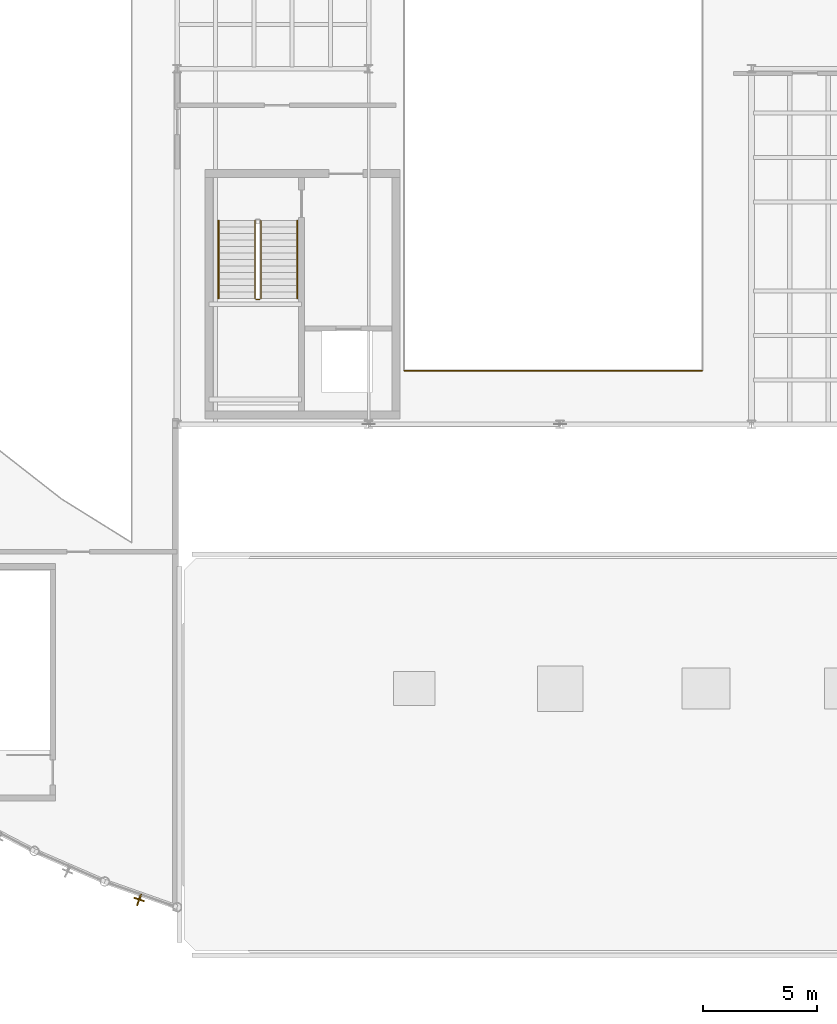
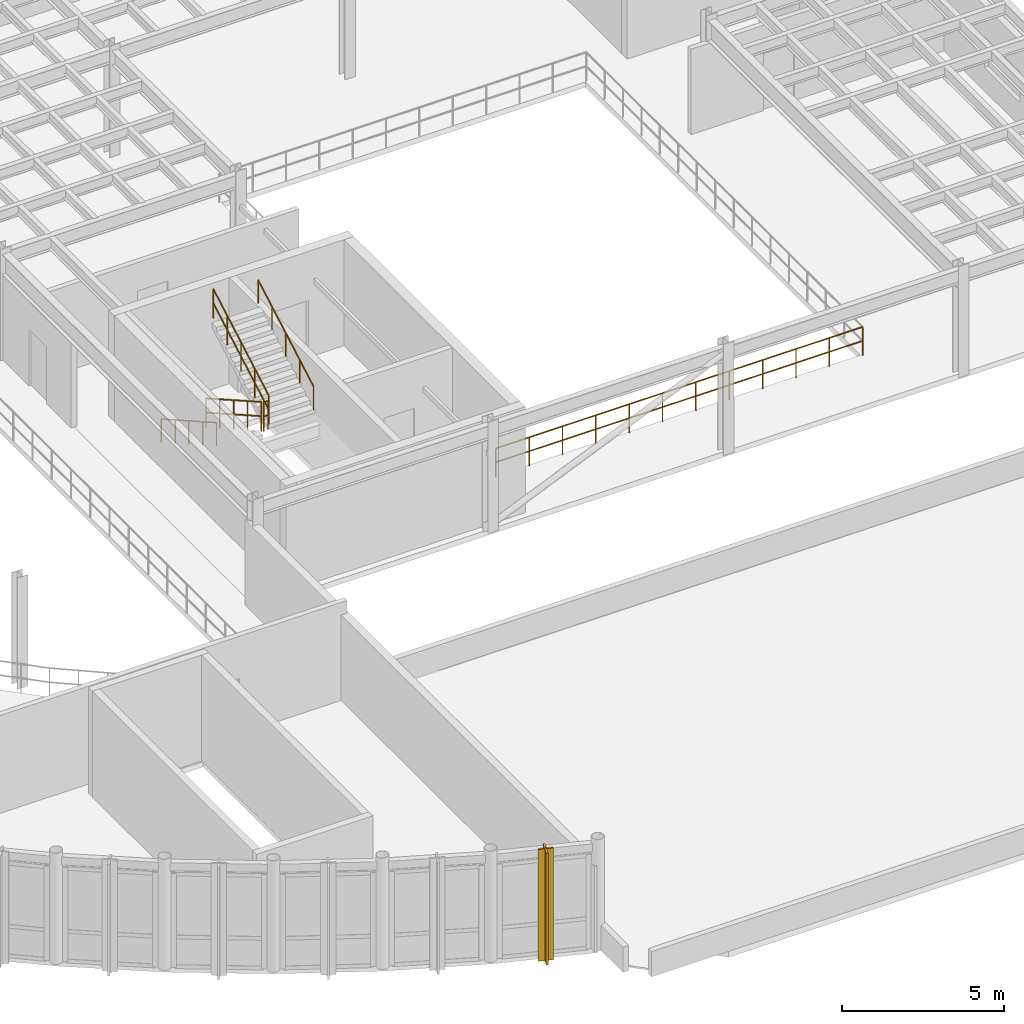
# One storey, part 48 of 54: 6 railings, 1 covering, 1 shading device.
"""IFC4 building model written with IfcOpenShell, lengths in metres."""

from ifc_helpers import new_model, si_unit, direction, frame, origin, origin_2d, place, context, subcontext, project, spatial, polyline, rectangle, circle, outline, extrude, material, layer, layer_set, material_profile, profile_set, type_object, element, save


model = new_model("IFC4")

# Units and contexts
model_context = context("Model", 3, precision=1e-05, world=origin(), true_north=direction((0.0, 1.0)))
body_context = subcontext(model_context, "Body", "Model", "MODEL_VIEW")
ifc_project = project(units=[si_unit("LENGTHUNIT", "METRE"), si_unit("AREAUNIT", "SQUARE_METRE"), si_unit("VOLUMEUNIT", "CUBIC_METRE"), si_unit("PLANEANGLEUNIT", "RADIAN"), si_unit("MASSUNIT", "GRAM", prefix="KILO")], contexts=[model_context])

# Site, building, storey
site_placement = place(None, origin())
site = spatial("IfcSite", under=ifc_project, at=site_placement, CompositionType="ELEMENT")
building_placement = place(site_placement, origin())
building = spatial("IfcBuilding", under=site, at=building_placement, Name="Selat Folded Stagehouse", CompositionType="ELEMENT")
storey_placement = place(building_placement, frame((0.0, 0.0, 15.0)))
storey = spatial("IfcBuildingStorey", under=building, at=storey_placement, Name="L03", CompositionType="ELEMENT", Elevation=15.0)

# Covering
ifc_material_1 = material(Name="Bronze-anodised aluminium 6063-T6", Category="aluminium")
ifc_layer_1 = layer(ifc_material_1, 0.06005859375)
ifc_layer_set_1 = layer_set([ifc_layer_1], Name="Bronze-anodised aluminium 6063-T6")
covering_type = type_object("IfcCoveringType", Name="COV-FIN-BRZ42", PredefinedType="CLADDING", material=ifc_layer_set_1)
covering_placement = place(storey_placement, frame((0.0, 0.0, -0.10009765625)))
element("IfcCovering", 1, at=covering_placement, inside=storey, type_object=covering_type, Name="L03 drum bronze fin cladding sheath 432", PredefinedType="CLADDING", context=body_context, shape_type="SweptSolid", body=[
    extrude(outline(polyline([(31.98828125, 2.802001953125), (31.808349609375, 2.292724609375), (31.86865234375, 2.271484375), (32.048583984375, 2.780517578125), (31.98828125, 2.802001953125)])), origin(), (0.0, 0.0, 1.0), 4.22021484375),
])

# Railings
ifc_material_2 = material(Name="Bronze-anodised steel balustrade", Category="steel")
ifc_layer_2 = layer(ifc_material_2, 0.06494140625)
ifc_layer_set_2 = layer_set([ifc_layer_2], Name="Bronze-anodised steel balustrade")
railing_type_1 = type_object("IfcRailingType", Name="RLG-BAL-1120", PredefinedType="BALUSTRADE", material=ifc_layer_set_2)
railing_1_placement = place(storey_placement, frame((37.010009765625, 32.340087890625, 0.16162109375)))
element("IfcRailing", 2, at=railing_1_placement, inside=storey, type_object=railing_type_1, Name="L03 ST-01 stair well guard 1", PredefinedType="BALUSTRADE", context=body_context, shape_type="SweptSolid", body=[
    extrude(circle(Radius=0.02392578125, at=origin_2d()), frame((0.0, 0.0, 1.09619140625), z_axis=(0.0, -0.869980450916, 0.493086214596), x_axis=(1.0, 0.0, 0.0)), (0.0, 0.0, 1.0), 3.931396484375),
    extrude(circle(Radius=0.02392578125, at=origin_2d()), frame((0.0, 0.0, 0.56005859375), z_axis=(0.0, -0.869980450916, 0.493086214596), x_axis=(1.0, 0.0, 0.0)), (0.0, 0.0, 1.0), 3.931396484375),
    extrude(circle(Radius=0.02099609375, at=origin_2d()), origin(), (0.0, 0.0, 1.0), 1.072021484375),
    extrude(circle(Radius=0.02099609375, at=origin_2d()), frame((0.0, -0.85498046875, 0.484619140625)), (0.0, 0.0, 1.0), 1.072021484375),
    extrude(circle(Radius=0.02099609375, at=origin_2d()), frame((0.0, -1.7099609375, 0.96923828125)), (0.0, 0.0, 1.0), 1.072021484375),
    extrude(circle(Radius=0.02099609375, at=origin_2d()), frame((0.0, -2.565185546875, 1.453857421875)), (0.0, 0.0, 1.0), 1.072021484375),
    extrude(circle(Radius=0.02099609375, at=origin_2d()), frame((0.0, -3.420166015625, 1.9384765625)), (0.0, 0.0, 1.0), 1.072021484375),
])
railing_2_placement = place(storey_placement, frame((37.06005859375, 28.8701171875, 2.10009765625)))
element("IfcRailing", 3, at=railing_2_placement, inside=storey, type_object=railing_type_1, Name="L03 ST-01 stair well guard 2", PredefinedType="BALUSTRADE", context=body_context, shape_type="SweptSolid", body=[
    extrude(circle(Radius=0.02392578125, at=origin_2d()), frame((0.0, 0.0, 1.09619140625), z_axis=(1.0, 0.0, 0.0), x_axis=(0.0, 1.0, 0.0)), (0.0, 0.0, 1.0), 0.159912109375),
    extrude(circle(Radius=0.02392578125, at=origin_2d()), frame((0.0, 0.0, 0.56005859375), z_axis=(1.0, 0.0, 0.0), x_axis=(0.0, 1.0, 0.0)), (0.0, 0.0, 1.0), 0.159912109375),
    extrude(circle(Radius=0.02099609375, at=origin_2d()), origin(), (0.0, 0.0, 1.0), 1.072021484375),
    extrude(circle(Radius=0.02099609375, at=origin_2d()), frame((0.159912109375, 0.0, 0.0)), (0.0, 0.0, 1.0), 1.072021484375),
])
railing_3_placement = place(storey_placement, frame((37.27001953125, 28.919921875, 2.261474609375)))
element("IfcRailing", 4, at=railing_3_placement, inside=storey, type_object=railing_type_1, Name="L03 ST-01 stair well guard 3", PredefinedType="BALUSTRADE", context=body_context, shape_type="SweptSolid", body=[
    extrude(circle(Radius=0.02392578125, at=origin_2d()), frame((0.0, 0.0, 1.09619140625), z_axis=(0.0, 0.869980450916, 0.493086214596), x_axis=(-1.0, 0.0, 0.0)), (0.0, 0.0, 1.0), 3.931396484375),
    extrude(circle(Radius=0.02392578125, at=origin_2d()), frame((0.0, 0.0, 0.56005859375), z_axis=(0.0, 0.869980450916, 0.493086214596), x_axis=(-1.0, 0.0, 0.0)), (0.0, 0.0, 1.0), 3.931396484375),
    extrude(circle(Radius=0.02099609375, at=origin_2d()), origin(), (0.0, 0.0, 1.0), 1.072021484375),
    extrude(circle(Radius=0.02099609375, at=origin_2d()), frame((0.0, 0.85498046875, 0.484619140625)), (0.0, 0.0, 1.0), 1.072021484375),
    extrude(circle(Radius=0.02099609375, at=origin_2d()), frame((0.0, 1.7099609375, 0.96923828125)), (0.0, 0.0, 1.0), 1.072021484375),
    extrude(circle(Radius=0.02099609375, at=origin_2d()), frame((0.0, 2.565185546875, 1.453857421875)), (0.0, 0.0, 1.0), 1.072021484375),
    extrude(circle(Radius=0.02099609375, at=origin_2d()), frame((0.0, 3.420166015625, 1.9384765625)), (0.0, 0.0, 1.0), 1.072021484375),
])
ifc_material_3 = material(Name="Stainless steel and laminated glass", Category="steel")
ifc_layer_3 = layer(ifc_material_3, 0.06005859375)
ifc_layer_set_3 = layer_set([ifc_layer_3], Name="Stainless steel and laminated glass")
railing_type_2 = type_object("IfcRailingType", Name="RLG-GUARD-1100", PredefinedType="GUARDRAIL", material=ifc_layer_set_3)
railing_4_placement = place(storey_placement, frame((43.550048828125, 25.75, 0.0)))
element("IfcRailing", 5, at=railing_4_placement, inside=storey, type_object=railing_type_2, Name="L03 protective guard railing 062", PredefinedType="GUARDRAIL", context=body_context, shape_type="SweptSolid", body=[
    extrude(circle(Radius=0.02392578125, at=origin_2d()), frame((0.0, 0.0, 1.076171875), z_axis=(1.0, 0.0, 0.0), x_axis=(0.0, 1.0, 0.0)), (0.0, 0.0, 1.0), 13.099853515625),
    extrude(circle(Radius=0.02392578125, at=origin_2d()), frame((0.0, 0.0, 0.550048828125), z_axis=(1.0, 0.0, 0.0), x_axis=(0.0, 1.0, 0.0)), (0.0, 0.0, 1.0), 13.099853515625),
    extrude(circle(Radius=0.02099609375, at=origin_2d()), origin(), (0.0, 0.0, 1.0), 1.052001953125),
    extrude(circle(Radius=0.02099609375, at=origin_2d()), frame((1.19091796875, 0.0, 0.0)), (0.0, 0.0, 1.0), 1.052001953125),
    extrude(circle(Radius=0.02099609375, at=origin_2d()), frame((2.3818359375, 0.0, 0.0)), (0.0, 0.0, 1.0), 1.052001953125),
    extrude(circle(Radius=0.02099609375, at=origin_2d()), frame((3.57275390625, 0.0, 0.0)), (0.0, 0.0, 1.0), 1.052001953125),
    extrude(circle(Radius=0.02099609375, at=origin_2d()), frame((4.763671875, 0.0, 0.0)), (0.0, 0.0, 1.0), 1.052001953125),
    extrude(circle(Radius=0.02099609375, at=origin_2d()), frame((5.95458984375, 0.0, 0.0)), (0.0, 0.0, 1.0), 1.052001953125),
    extrude(circle(Radius=0.02099609375, at=origin_2d()), frame((7.145263671875, 0.0, 0.0)), (0.0, 0.0, 1.0), 1.052001953125),
    extrude(circle(Radius=0.02099609375, at=origin_2d()), frame((8.336181640625, 0.0, 0.0)), (0.0, 0.0, 1.0), 1.052001953125),
    extrude(circle(Radius=0.02099609375, at=origin_2d()), frame((9.527099609375, 0.0, 0.0)), (0.0, 0.0, 1.0), 1.052001953125),
    extrude(circle(Radius=0.02099609375, at=origin_2d()), frame((10.718017578125, 0.0, 0.0)), (0.0, 0.0, 1.0), 1.052001953125),
    extrude(circle(Radius=0.02099609375, at=origin_2d()), frame((11.908935546875, 0.0, 0.0)), (0.0, 0.0, 1.0), 1.052001953125),
    extrude(circle(Radius=0.02099609375, at=origin_2d()), frame((13.099853515625, 0.0, 0.0)), (0.0, 0.0, 1.0), 1.052001953125),
])
ifc_material_4 = material(Name="Brushed stainless steel 1.4301", Category="steel")
ifc_layer_4 = layer(ifc_material_4, 0.048095703125)
ifc_layer_set_4 = layer_set([ifc_layer_4], Name="Brushed stainless steel 1.4301")
railing_type_3 = type_object("IfcRailingType", Name="RLG-HANDRAIL-900", PredefinedType="HANDRAIL", material=ifc_layer_set_4)
railing_5_placement = place(storey_placement, frame((35.409912109375, 32.340087890625, 0.16162109375)))
element("IfcRailing", 6, at=railing_5_placement, inside=storey, type_object=railing_type_3, Name="L03 ST-01 wall handrail 1", PredefinedType="HANDRAIL", context=body_context, shape_type="SweptSolid", body=[
    extrude(circle(Radius=0.02392578125, at=origin_2d()), frame((0.0, 0.0, 0.8759765625), z_axis=(0.0, -0.869980450916, 0.493086214596), x_axis=(1.0, 0.0, 0.0)), (0.0, 0.0, 1.0), 3.931396484375),
    extrude(circle(Radius=0.02099609375, at=origin_2d()), origin(), (0.0, 0.0, 1.0), 0.851806640625),
    extrude(circle(Radius=0.02099609375, at=origin_2d()), frame((0.0, -0.85498046875, 0.484619140625)), (0.0, 0.0, 1.0), 0.851806640625),
    extrude(circle(Radius=0.02099609375, at=origin_2d()), frame((0.0, -1.7099609375, 0.96923828125)), (0.0, 0.0, 1.0), 0.851806640625),
    extrude(circle(Radius=0.02099609375, at=origin_2d()), frame((0.0, -2.565185546875, 1.453857421875)), (0.0, 0.0, 1.0), 0.851806640625),
    extrude(circle(Radius=0.02099609375, at=origin_2d()), frame((0.0, -3.420166015625, 1.9384765625)), (0.0, 0.0, 1.0), 0.851806640625),
])
railing_6_placement = place(storey_placement, frame((38.8701171875, 28.919921875, 2.261474609375)))
element("IfcRailing", 7, at=railing_6_placement, inside=storey, type_object=railing_type_3, Name="L03 ST-01 wall handrail 2", PredefinedType="HANDRAIL", context=body_context, shape_type="SweptSolid", body=[
    extrude(circle(Radius=0.02392578125, at=origin_2d()), frame((0.0, 0.0, 0.8759765625), z_axis=(0.0, 0.869980450916, 0.493086214596), x_axis=(-1.0, 0.0, 0.0)), (0.0, 0.0, 1.0), 3.931396484375),
    extrude(circle(Radius=0.02099609375, at=origin_2d()), origin(), (0.0, 0.0, 1.0), 0.851806640625),
    extrude(circle(Radius=0.02099609375, at=origin_2d()), frame((0.0, 0.85498046875, 0.484619140625)), (0.0, 0.0, 1.0), 0.851806640625),
    extrude(circle(Radius=0.02099609375, at=origin_2d()), frame((0.0, 1.7099609375, 0.96923828125)), (0.0, 0.0, 1.0), 0.851806640625),
    extrude(circle(Radius=0.02099609375, at=origin_2d()), frame((0.0, 2.565185546875, 1.453857421875)), (0.0, 0.0, 1.0), 0.851806640625),
    extrude(circle(Radius=0.02099609375, at=origin_2d()), frame((0.0, 3.420166015625, 1.9384765625)), (0.0, 0.0, 1.0), 0.851806640625),
])

# Shading device
ifc_material_profile = material_profile(ifc_material_1, rectangle(XDim=0.06005859375, YDim=0.47998046875, at=origin_2d()), Name="SOLAR-FIN 480x60")
ifc_profile_set = profile_set([ifc_material_profile], Name="Bronze-anodised aluminium 6063-T6")
shading_device_type = type_object("IfcShadingDeviceType", Name="SHD-FIN-480x60", PredefinedType="USERDEFINED", material=ifc_profile_set)
shading_device_placement = place(storey_placement, frame((31.931884765625, 2.546142578125, -0.10009765625), z_axis=(0.0, 0.0, 1.0), x_axis=(-0.333313247568, -0.942816142732, 0.0)))
element("IfcShadingDevice", 8, at=shading_device_placement, inside=storey, type_object=shading_device_type, Name="L03 drum vertical bronze solar fin 432", ObjectType="FIN", PredefinedType="USERDEFINED", context=body_context, shape_type="SweptSolid", body=[
    extrude(rectangle(XDim=0.06005859375, YDim=0.47998046875, at=origin_2d()), origin(), (0.0, 0.0, 1.0), 4.22021484375),
])

save(model, "model.ifc")
